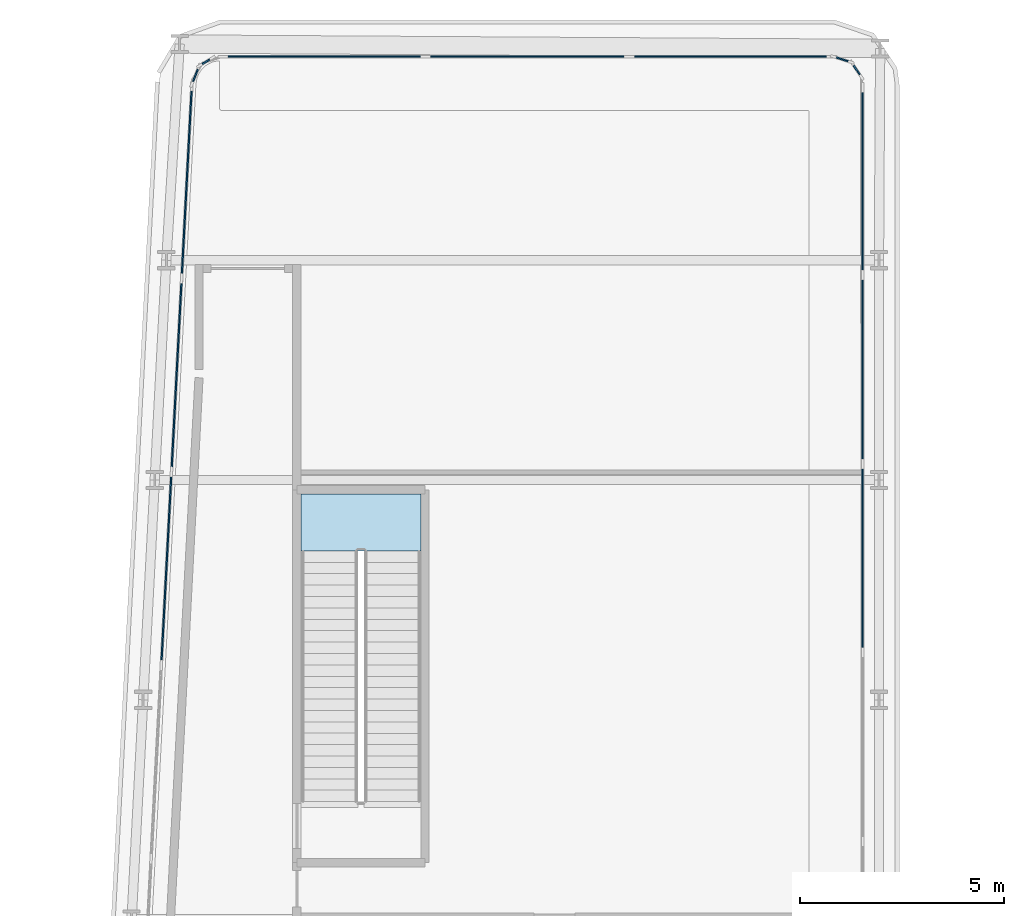
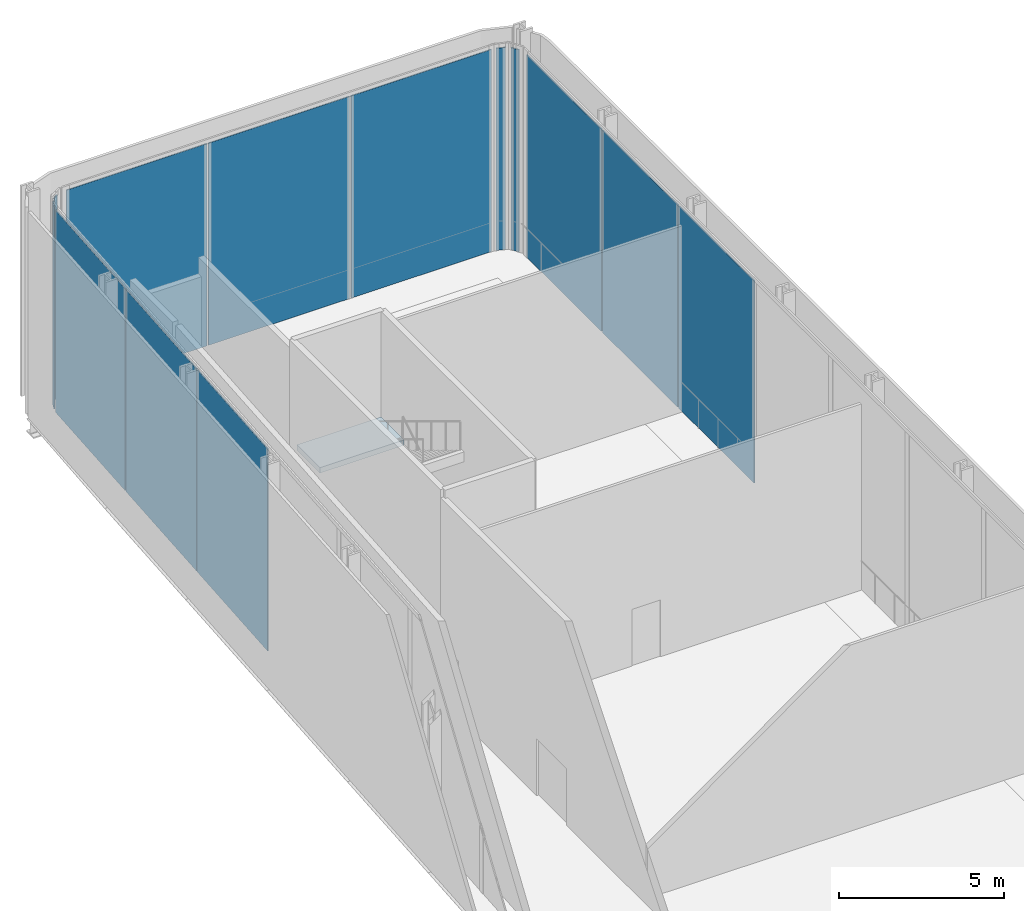
# One storey, part 23 of 36: 13 plates, 1 slab, 8 elements without a shape of their own.
"""IFC4 building model written with IfcOpenShell, lengths in metres."""

from ifc_helpers import new_model, si_unit, direction, frame, origin, origin_2d, place, context, subcontext, project, spatial, polyline, rectangle, outline, extrude, material, layer, layer_set, type_object, element, aggregate, save


model = new_model("IFC4")

# Units and contexts
model_context = context("Model", 3, precision=1e-05, world=origin(), true_north=direction((0.0, 1.0)))
body_context = subcontext(model_context, "Body", "Model", "MODEL_VIEW")
ifc_project = project(units=[si_unit("LENGTHUNIT", "METRE"), si_unit("AREAUNIT", "SQUARE_METRE"), si_unit("VOLUMEUNIT", "CUBIC_METRE"), si_unit("PLANEANGLEUNIT", "RADIAN"), si_unit("MASSUNIT", "GRAM", prefix="KILO")], contexts=[model_context])

# Site, building, storey
site_placement = place(None, origin())
site = spatial("IfcSite", under=ifc_project, at=site_placement, CompositionType="ELEMENT")
building_placement = place(site_placement, origin())
building = spatial("IfcBuilding", under=site, at=building_placement, Name="Kheshtan School and Residences Tower", CompositionType="ELEMENT")
storey_placement = place(building_placement, frame((0.0, 0.0, 81.199951171875)))
storey = spatial("IfcBuildingStorey", under=building, at=storey_placement, Name="L19", CompositionType="ELEMENT", Elevation=81.199951171875)

# Curtain wall, plates
ifc_material_1 = material(Name="Clear low-e glass in thermally broken aluminium frame", Category="aluminium")
ifc_layer_1 = layer(ifc_material_1, 0.25)
ifc_layer_set_1 = layer_set([ifc_layer_1], Name="Curtain wall CW-K")
curtain_wall_type = type_object("IfcCurtainWallType", Name="Curtain wall CW-K", PredefinedType="NOTDEFINED", material=ifc_layer_set_1)
curtain_wall_1_placement = place(storey_placement, origin())
curtain_wall_1 = element("IfcCurtainWall", 1, at=curtain_wall_1_placement, inside=storey, type_object=curtain_wall_type, Name="Curtain wall CWK18", PredefinedType="NOTDEFINED")
ifc_layer_2 = layer(ifc_material_1, 0.0380859375)
ifc_layer_set_2 = layer_set([ifc_layer_2], Name="CW-K glass panel")
plate_type = type_object("IfcPlateType", Name="CW-K glass panel", PredefinedType="CURTAIN_PANEL", material=ifc_layer_set_2)
plate_1_placement = place(storey_placement, frame((30.0966796875, 86.6259765625, 0.0), z_axis=(0.0, 0.0, 1.0), x_axis=(0.05256513568, 0.998617497599, 0.0)))
plate_1 = element("IfcPlate", 2, at=plate_1_placement, type_object=plate_type, Name="CWK18 panel 12.1", PredefinedType="CURTAIN_PANEL", context=body_context, shape_type="SweptSolid", body=[
    extrude(rectangle(XDim=4.69873046875, YDim=0.0380859375, at=origin_2d()), origin(), (0.0, 0.0, 1.0), 7.489990234375),
])
plate_2_placement = place(storey_placement, frame((30.346923828125, 91.3779296875, 0.0), z_axis=(0.0, 0.0, 1.0), x_axis=(0.05256513568, 0.998617497599, 0.0)))
plate_2 = element("IfcPlate", 3, at=plate_2_placement, type_object=plate_type, Name="CWK18 panel 13.1", PredefinedType="CURTAIN_PANEL", context=body_context, shape_type="SweptSolid", body=[
    extrude(rectangle(XDim=4.69873046875, YDim=0.0380859375, at=origin_2d()), origin(), (0.0, 0.0, 1.0), 7.489990234375),
])
plate_3_placement = place(storey_placement, frame((30.59619140625, 96.115234375, 0.0), z_axis=(0.0, 0.0, 1.0), x_axis=(0.05256513568, 0.998617497599, 0.0)))
plate_3 = element("IfcPlate", 4, at=plate_3_placement, type_object=plate_type, Name="CWK18 panel 14.1", PredefinedType="CURTAIN_PANEL", context=body_context, shape_type="SweptSolid", body=[
    extrude(rectangle(XDim=4.668701171875, YDim=0.0380859375, at=origin_2d()), origin(), (0.0, 0.0, 1.0), 7.489990234375),
])
aggregate(curtain_wall_1, [plate_1, plate_2, plate_3])

# Curtain wall, plate
curtain_wall_2_placement = place(storey_placement, origin())
curtain_wall_2 = element("IfcCurtainWall", 5, at=curtain_wall_2_placement, inside=storey, type_object=curtain_wall_type, Name="Curtain wall CWK19", PredefinedType="NOTDEFINED")
plate_4_placement = place(storey_placement, frame((30.8095703125, 98.739501953125, 0.0), z_axis=(0.0, 0.0, 1.0), x_axis=(0.370993348125, 0.928635523576, 0.0)))
plate_4 = element("IfcPlate", 6, at=plate_4_placement, type_object=plate_type, Name="CWK19 panel 1.1", PredefinedType="CURTAIN_PANEL", context=body_context, shape_type="SweptSolid", body=[
    extrude(rectangle(XDim=0.31396484375, YDim=0.0380859375, at=origin_2d()), origin(), (0.0, 0.0, 1.0), 7.489990234375),
])
aggregate(curtain_wall_2, [plate_4])

curtain_wall_3_placement = place(storey_placement, origin())
curtain_wall_3 = element("IfcCurtainWall", 7, at=curtain_wall_3_placement, inside=storey, type_object=curtain_wall_type, Name="Curtain wall CWK20", PredefinedType="NOTDEFINED")
plate_5_placement = place(storey_placement, frame((31.069580078125, 99.07470703125, 0.0), z_axis=(0.0, 0.0, 1.0), x_axis=(0.851763497749, 0.52392646803, 0.0)))
plate_5 = element("IfcPlate", 8, at=plate_5_placement, type_object=plate_type, Name="CWK20 panel 1.1", PredefinedType="CURTAIN_PANEL", context=body_context, shape_type="SweptSolid", body=[
    extrude(rectangle(XDim=0.206298828125, YDim=0.0380859375, at=origin_2d()), origin(), (0.0, 0.0, 1.0), 7.489990234375),
])
aggregate(curtain_wall_3, [plate_5])

# Curtain wall, plates
curtain_wall_4_placement = place(storey_placement, origin())
curtain_wall_4 = element("IfcCurtainWall", 9, at=curtain_wall_4_placement, inside=storey, type_object=curtain_wall_type, Name="Curtain wall CWK21", PredefinedType="NOTDEFINED")
plate_6_placement = place(storey_placement, frame((33.9716796875, 99.199951171875, 0.0), z_axis=(0.0, 0.0, 1.0), x_axis=(1.0, 0.0, 0.0)))
plate_6 = element("IfcPlate", 10, at=plate_6_placement, type_object=plate_type, Name="CWK21 panel 1.1", PredefinedType="CURTAIN_PANEL", context=body_context, shape_type="SweptSolid", body=[
    extrude(rectangle(XDim=4.915283203125, YDim=0.0380859375, at=origin_2d()), origin(), (0.0, 0.0, 1.0), 7.489990234375),
])
plate_7_placement = place(storey_placement, frame((38.9619140625, 99.199951171875, 0.0), z_axis=(0.0, 0.0, 1.0), x_axis=(1.0, 0.0, 0.0)))
plate_7 = element("IfcPlate", 11, at=plate_7_placement, type_object=plate_type, Name="CWK21 panel 2.1", PredefinedType="CURTAIN_PANEL", context=body_context, shape_type="SweptSolid", body=[
    extrude(rectangle(XDim=4.9453125, YDim=0.0380859375, at=origin_2d()), origin(), (0.0, 0.0, 1.0), 7.489990234375),
])
plate_8_placement = place(storey_placement, frame((43.952392578125, 99.199951171875, 0.0), z_axis=(0.0, 0.0, 1.0), x_axis=(1.0, 0.0, 0.0)))
plate_8 = element("IfcPlate", 12, at=plate_8_placement, type_object=plate_type, Name="CWK21 panel 3.1", PredefinedType="CURTAIN_PANEL", context=body_context, shape_type="SweptSolid", body=[
    extrude(rectangle(XDim=4.915283203125, YDim=0.0380859375, at=origin_2d()), origin(), (0.0, 0.0, 1.0), 7.489990234375),
])
aggregate(curtain_wall_4, [plate_6, plate_7, plate_8])

# Curtain wall, plate
curtain_wall_5_placement = place(storey_placement, origin())
curtain_wall_5 = element("IfcCurtainWall", 13, at=curtain_wall_5_placement, inside=storey, type_object=curtain_wall_type, Name="Curtain wall CWK22", PredefinedType="NOTDEFINED")
plate_9_placement = place(storey_placement, frame((46.697998046875, 99.13232421875, 0.0), z_axis=(0.0, 0.0, 1.0), x_axis=(0.952703792543, -0.303900450271, 0.0)))
plate_9 = element("IfcPlate", 14, at=plate_9_placement, type_object=plate_type, Name="CWK22 panel 1.1", PredefinedType="CURTAIN_PANEL", context=body_context, shape_type="SweptSolid", body=[
    extrude(rectangle(XDim=0.294677734375, YDim=0.0380859375, at=origin_2d()), origin(), (0.0, 0.0, 1.0), 7.489990234375),
])
aggregate(curtain_wall_5, [plate_9])

curtain_wall_6_placement = place(storey_placement, origin())
curtain_wall_6 = element("IfcCurtainWall", 15, at=curtain_wall_6_placement, inside=storey, type_object=curtain_wall_type, Name="Curtain wall CWK23", PredefinedType="NOTDEFINED")
plate_10_placement = place(storey_placement, frame((47.0546875, 98.8701171875, 0.0), z_axis=(0.0, 0.0, 1.0), x_axis=(0.555301678168, -0.831648992198, 0.0)))
plate_10 = element("IfcPlate", 16, at=plate_10_placement, type_object=plate_type, Name="CWK23 panel 1.1", PredefinedType="CURTAIN_PANEL", context=body_context, shape_type="SweptSolid", body=[
    extrude(rectangle(XDim=0.263671875, YDim=0.0380859375, at=origin_2d()), origin(), (0.0, 0.0, 1.0), 7.489990234375),
])
aggregate(curtain_wall_6, [plate_10])

# Curtain wall, plates
curtain_wall_7_placement = place(storey_placement, origin())
curtain_wall_7 = element("IfcCurtainWall", 17, at=curtain_wall_7_placement, inside=storey, type_object=curtain_wall_type, Name="Curtain wall CWK24", PredefinedType="NOTDEFINED")
plate_11_placement = place(storey_placement, frame((47.199951171875, 96.13671875, 0.0), z_axis=(0.0, 0.0, 1.0), x_axis=(0.0, -1.0, 0.0)))
plate_11 = element("IfcPlate", 18, at=plate_11_placement, type_object=plate_type, Name="CWK24 panel 1.1", PredefinedType="CURTAIN_PANEL", context=body_context, shape_type="SweptSolid", body=[
    extrude(rectangle(XDim=4.54638671875, YDim=0.0380859375, at=origin_2d()), origin(), (0.0, 0.0, 1.0), 7.489990234375),
])
plate_12_placement = place(storey_placement, frame((47.199951171875, 91.515380859375, 0.0), z_axis=(0.0, 0.0, 1.0), x_axis=(0.0, -1.0, 0.0)))
plate_12 = element("IfcPlate", 19, at=plate_12_placement, type_object=plate_type, Name="CWK24 panel 2.1", PredefinedType="CURTAIN_PANEL", context=body_context, shape_type="SweptSolid", body=[
    extrude(rectangle(XDim=4.576416015625, YDim=0.0380859375, at=origin_2d()), origin(), (0.0, 0.0, 1.0), 7.489990234375),
])
plate_13_placement = place(storey_placement, frame((47.199951171875, 86.87890625, 0.0), z_axis=(0.0, 0.0, 1.0), x_axis=(0.0, -1.0, 0.0)))
plate_13 = element("IfcPlate", 20, at=plate_13_placement, type_object=plate_type, Name="CWK24 panel 3.1", PredefinedType="CURTAIN_PANEL", context=body_context, shape_type="SweptSolid", body=[
    extrude(rectangle(XDim=4.576416015625, YDim=0.0380859375, at=origin_2d()), origin(), (0.0, 0.0, 1.0), 7.489990234375),
])
aggregate(curtain_wall_7, [plate_11, plate_12, plate_13])

# Stair, slab
ifc_material_2 = material(Name="Concrete C40/50", Category="concrete")
stair_type = type_object("IfcStairType", Name="Exit stair, half-turn", PredefinedType="HALF_TURN_STAIR", material=ifc_material_2)
stair_placement = place(storey_placement, origin())
stair = element("IfcStair", 21, at=stair_placement, inside=storey, type_object=stair_type, Name="L19 Protected Exit Stair ST3", PredefinedType="HALF_TURN_STAIR")
ifc_layer_3 = layer(ifc_material_2, 0.199951171875)
ifc_layer_set_3 = layer_set([ifc_layer_3], Name="Stair landing 200 Concrete C40/50")
slab_type = type_object("IfcSlabType", Name="Stair landing 200 Concrete C40/50", PredefinedType="LANDING", material=ifc_layer_set_3)
slab_placement = place(storey_placement, frame((0.0, 0.0, 3.699951171875)))
slab = element("IfcSlab", 22, at=slab_placement, type_object=slab_type, Name="ST3 landing 1", PredefinedType="LANDING", context=body_context, shape_type="SweptSolid", body=[
    extrude(outline(polyline([(36.35009765625, 87.06005859375), (36.35009765625, 88.4599609375), (33.39990234375, 88.4599609375), (33.39990234375, 87.06005859375), (36.35009765625, 87.06005859375)])), origin(), (0.0, 0.0, 1.0), 0.2001953125),
])
aggregate(stair, [slab])

save(model, "model.ifc")
